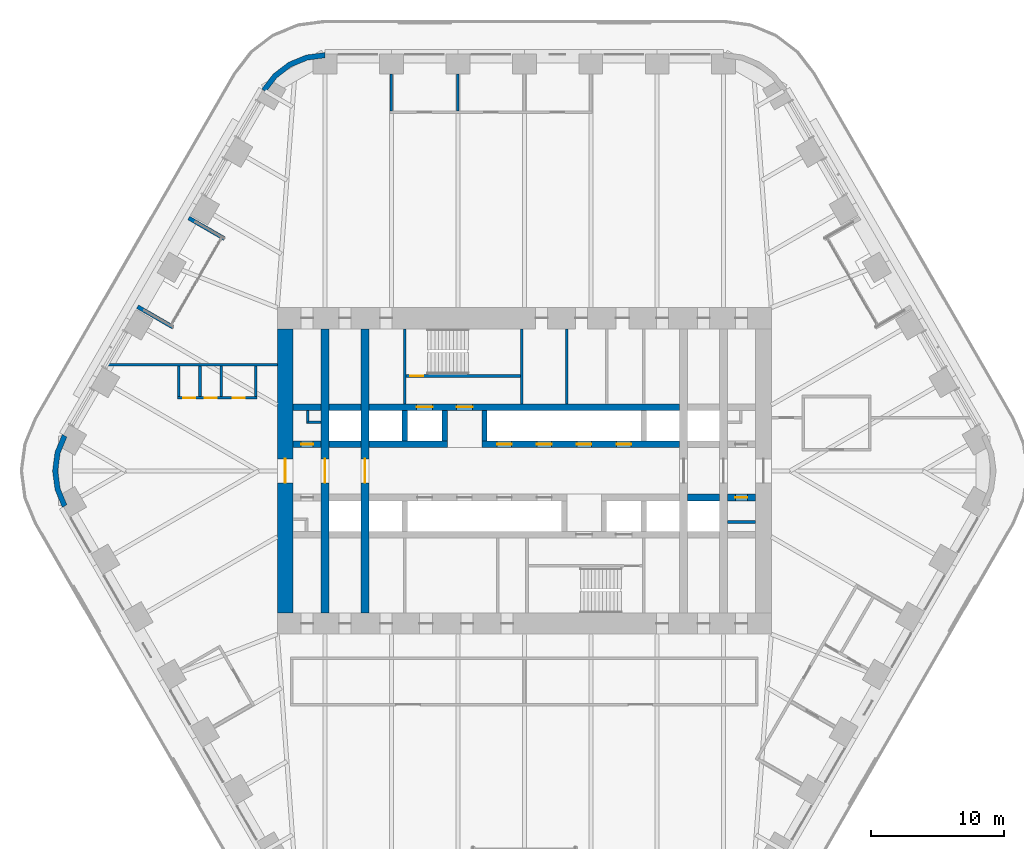
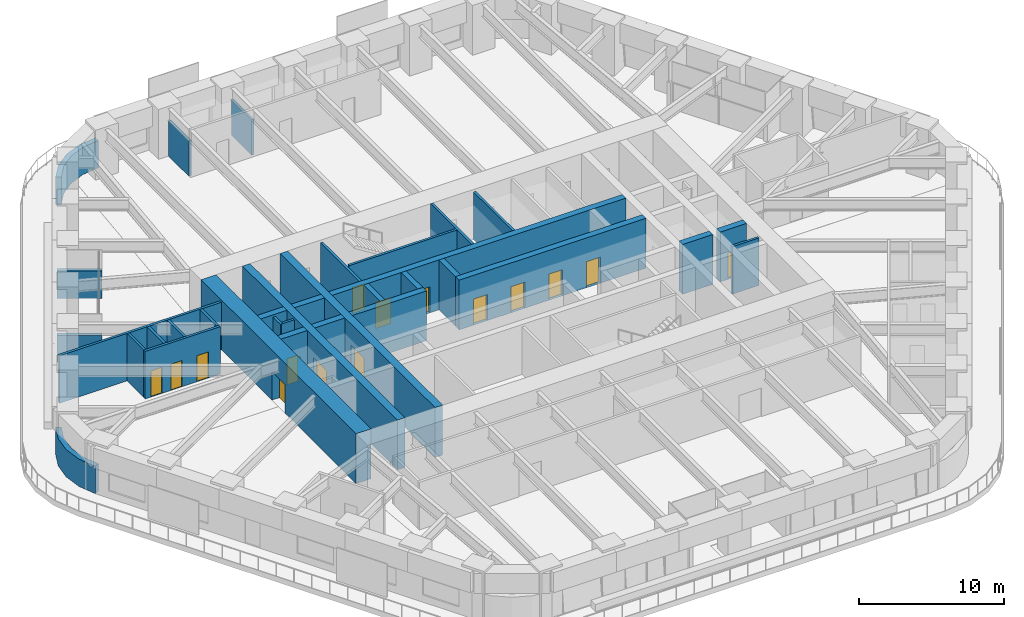
# One storey, part 19 of 24: 34 walls, 15 doors, 15 openings.
"""IFC4 building model written with IfcOpenShell, lengths in metres."""

from ifc_helpers import new_model, si_unit, direction, frame, frame_2d, origin, place, context, subcontext, project, spatial, polyline, rectangle, outline, extrude, material, layer, layer_set, type_object, element, fill, save


model = new_model("IFC4")

# Units and contexts
model_context = context("Model", 3, precision=1e-05, world=origin(), true_north=direction((0.0, 1.0)))
body_context = subcontext(model_context, "Body", "Model", "MODEL_VIEW")
ifc_project = project(units=[si_unit("LENGTHUNIT", "METRE"), si_unit("AREAUNIT", "SQUARE_METRE"), si_unit("VOLUMEUNIT", "CUBIC_METRE"), si_unit("PLANEANGLEUNIT", "RADIAN"), si_unit("MASSUNIT", "GRAM", prefix="KILO")], contexts=[model_context])

# Site, building, storey
site_placement = place(None, origin())
site = spatial("IfcSite", under=ifc_project, at=site_placement, CompositionType="ELEMENT")
building_placement = place(site_placement, origin())
building = spatial("IfcBuilding", under=site, at=building_placement, Name="Tarfa Lantern Tower", CompositionType="ELEMENT")
storey_placement = place(building_placement, frame((0.0, 0.0, 132.10009765625)))
storey = spatial("IfcBuildingStorey", under=building, at=storey_placement, Name="L29", CompositionType="ELEMENT", Elevation=132.10009765625)

# Walls
ifc_material_1 = material(Name="Limestone cladding on blockwork", Category="masonry")
ifc_layer_1 = layer(ifc_material_1, 0.300048828125)
ifc_layer_set_1 = layer_set([ifc_layer_1], Name="EW1 STONE-CLAD WALL 300")
wall_type_1 = type_object("IfcWallType", Name="EW1 STONE-CLAD WALL 300", PredefinedType="SOLIDWALL", material=ifc_layer_set_1)
wall_1_placement = place(storey_placement, frame((-25.266357421875, 19.037353515625, 0.0), z_axis=(0.0, 0.0, 1.0), x_axis=(0.86600983753, -0.500026960575, 0.0)))
element("IfcWall", 1, at=wall_1_placement, inside=storey, type_object=wall_type_1, Name="Loggia return NW 1", PredefinedType="SOLIDWALL", context=body_context, shape_type="SweptSolid", body=[
    extrude(rectangle(XDim=3.099853515625, YDim=0.300048828125, at=frame_2d((1.5498046875, 0.0))), origin(), (0.0, 0.0, 1.0), 2.2998046875),
])
wall_2_placement = place(storey_placement, frame((-29.1201171875, 12.362548828125, 0.0), z_axis=(0.0, 0.0, 1.0), x_axis=(0.86602952684, -0.49999285859, 0.0)))
element("IfcWall", 2, at=wall_2_placement, inside=storey, type_object=wall_type_1, Name="Loggia return NW 2", PredefinedType="SOLIDWALL", context=body_context, shape_type="SweptSolid", body=[
    extrude(rectangle(XDim=3.10009765625, YDim=0.300048828125, at=frame_2d((1.550048828125, 0.0))), origin(), (0.0, 0.0, 1.0), 2.2998046875),
])
ifc_layer_2 = layer(ifc_material_1, 0.39990234375)
ifc_layer_set_2 = layer_set([ifc_layer_2], Name="EW2 CURVED STONE CORNER 400")
wall_type_2 = type_object("IfcWallType", Name="EW2 CURVED STONE CORNER 400", PredefinedType="SOLIDWALL", material=ifc_layer_set_2)
wall_3_placement = place(storey_placement, origin())
element("IfcWall", 3, at=wall_3_placement, inside=storey, type_object=wall_type_2, Name="Stone corner N-NW", PredefinedType="SOLIDWALL", context=body_context, shape_type="SweptSolid", body=[
    extrude(outline(polyline([(-15.010986328125, 31.5), (-16.4345703125, 31.3125), (-17.760986328125, 30.76318359375), (-18.900146484375, 29.88916015625), (-19.774169921875, 28.75), (-19.427734375, 28.550048828125), (-18.617431640625, 29.606201171875), (-17.56103515625, 30.416748046875), (-16.3310546875, 30.92626953125), (-15.010986328125, 31.10009765625), (-15.010986328125, 31.5)])), origin(), (0.0, 0.0, 1.0), 2.2998046875),
])
wall_4_placement = place(storey_placement, origin())
element("IfcWall", 4, at=wall_4_placement, inside=storey, type_object=wall_type_2, Name="Stone corner NW-SW", PredefinedType="SOLIDWALL", context=body_context, shape_type="SweptSolid", body=[
    extrude(outline(polyline([(-34.785400390625, 2.75), (-35.334716796875, 1.423583984375), (-35.522216796875, 0.0), (-35.334716796875, -1.423583984375), (-34.785400390625, -2.75), (-34.43896484375, -2.550048828125), (-34.948486328125, -1.320068359375), (-35.122314453125, 0.0), (-34.948486328125, 1.320068359375), (-34.43896484375, 2.550048828125), (-34.785400390625, 2.75)])), origin(), (0.0, 0.0, 1.0), 2.2998046875),
])
ifc_material_2 = material(Name="Concrete blockwork", Category="masonry")
ifc_layer_3 = layer(ifc_material_2, 0.199951171875)
ifc_layer_set_3 = layer_set([ifc_layer_3], Name="IW1 BLOCKWORK PARTITION 200 EI 120")
wall_type_3 = type_object("IfcWallType", Name="IW1 BLOCKWORK PARTITION 200 EI 120", PredefinedType="PARTITIONING", material=ifc_layer_set_3)
for number, where, z_axis, x_axis, name in (
    (5, (-9.0, 5.050048828125, 0.0), (0.0, 0.0, 1.0), (0.0, 1.0, 0.0), "Core partition"),
    (6, (3.199951171875, 5.050048828125, 0.0), (0.0, 0.0, 1.0), (0.0, 1.0, 0.0), "Core partition"),
):
    element("IfcWall", number, at=place(storey_placement, frame(where, z_axis=z_axis, x_axis=x_axis)), inside=storey, type_object=wall_type_3, Name=name, PredefinedType="PARTITIONING", context=body_context, shape_type="SweptSolid", body=[
        extrude(rectangle(XDim=5.64990234375, YDim=0.199951171875, at=frame_2d((2.824951171875, 0.0))), origin(), (0.0, 0.0, 1.0), 4.0),
    ])
for number, where, z_axis, x_axis, name in (
    (7, (-16.300048828125, 3.64990234375, 0.0), (0.0, 0.0, 1.0), (1.0, 0.0, 0.0), "Core partition"),
    (8, (-16.300048828125, 3.550048828125, 0.0), (0.0, 0.0, 1.0), (0.0, 1.0, 0.0), "Core partition"),
):
    element("IfcWall", number, at=place(storey_placement, frame(where, z_axis=z_axis, x_axis=x_axis)), inside=storey, type_object=wall_type_3, Name=name, PredefinedType="PARTITIONING", context=body_context, shape_type="SweptSolid", body=[
        extrude(rectangle(XDim=1.0, YDim=0.199951171875, at=frame_2d((0.5, 0.0))), origin(), (0.0, 0.0, 1.0), 4.0),
    ])
wall_5_placement = place(storey_placement, frame((17.39990234375, -3.85009765625, 0.0), z_axis=(0.0, 0.0, 1.0), x_axis=(-1.0, 0.0, 0.0)))
element("IfcWall", 9, at=wall_5_placement, inside=storey, type_object=wall_type_3, Name="Core partition", PredefinedType="PARTITIONING", context=body_context, shape_type="SweptSolid", body=[
    extrude(rectangle(XDim=2.099853515625, YDim=0.199951171875, at=frame_2d((1.0498046875, 0.0))), origin(), (0.0, 0.0, 1.0), 4.0),
])
ifc_material_3 = material(Name="Gypsum board on steel studs", Category="steel")
ifc_layer_4 = layer(ifc_material_3, 0.2099609375)
ifc_layer_set_4 = layer_set([ifc_layer_4], Name="IW2 ACOUSTIC PARTITION 200")
wall_type_4 = type_object("IfcWallType", Name="IW2 ACOUSTIC PARTITION 200", PredefinedType="PARTITIONING", material=ifc_layer_set_4)
for number, where, z_axis, x_axis, name in (
    (10, (-5.003662109375, 27.10009765625, 0.0), (0.0, 0.0, 1.0), (0.0, 1.0, 0.0), "Partition"),
    (11, (-10.00732421875, 27.10009765625, 0.0), (0.0, 0.0, 1.0), (0.0, 1.0, 0.0), "Partition"),
):
    element("IfcWall", number, at=place(storey_placement, frame(where, z_axis=z_axis, x_axis=x_axis)), inside=storey, type_object=wall_type_4, Name=name, PredefinedType="PARTITIONING", context=body_context, shape_type="SweptSolid", body=[
        extrude(rectangle(XDim=2.7998046875, YDim=0.199951171875, at=frame_2d((1.39990234375, 0.0))), origin(), (0.0, 0.0, 1.0), 2.99169921875),
    ])
wall_6_placement = place(storey_placement, frame((-18.60009765625, 8.0, 0.0), z_axis=(0.0, 0.0, 1.0), x_axis=(-1.0, 0.0, 0.0)))
element("IfcWall", 12, at=wall_6_placement, inside=storey, type_object=wall_type_4, Name="Partition", PredefinedType="PARTITIONING", context=body_context, shape_type="SweptSolid", body=[
    extrude(rectangle(XDim=12.89990234375, YDim=0.199951171875, at=frame_2d((6.449951171875, 0.0))), origin(), (0.0, 0.0, 1.0), 4.0),
])

# Wall, openings, doors
wall_7_placement = place(storey_placement, frame((-20.114990234375, 5.5, 0.0), z_axis=(0.0, 0.0, 1.0), x_axis=(-1.0, 0.0, 0.0)))
wall_7 = element("IfcWall", 13, at=wall_7_placement, inside=storey, type_object=wall_type_4, Name="Partition", PredefinedType="PARTITIONING", context=body_context, shape_type="SweptSolid", body=[
    extrude(rectangle(XDim=6.0, YDim=0.199951171875, at=frame_2d((3.0, 0.0))), origin(), (0.0, 0.0, 1.0), 4.0),
])
opening_1_placement = place(wall_7_placement, frame((0.949951171875, 0.0, 0.0)))
opening_1 = element("IfcOpeningElement", 14, at=opening_1_placement, cuts=wall_7, Name="Opening D44", PredefinedType="OPENING", context=body_context, shape_type="SweptSolid", body=[
    extrude(rectangle(XDim=0.89990234375, YDim=2.199951171875, at=frame_2d((0.449951171875, 1.10009765625))), frame((0.0, 0.10986328125, 0.0), z_axis=(0.0, -1.0, 0.0), x_axis=(1.0, 0.0, 0.0)), (0.0, 0.0, 1.0), 0.219970703125),
])
opening_2_placement = place(wall_7_placement, frame((3.050048828125, 0.0, 0.0)))
opening_2 = element("IfcOpeningElement", 15, at=opening_2_placement, cuts=wall_7, Name="Opening D45", PredefinedType="OPENING", context=body_context, shape_type="SweptSolid", body=[
    extrude(rectangle(XDim=0.89990234375, YDim=2.199951171875, at=frame_2d((0.449951171875, 1.10009765625))), frame((0.0, 0.10986328125, 0.0), z_axis=(0.0, -1.0, 0.0), x_axis=(1.0, 0.0, 0.0)), (0.0, 0.0, 1.0), 0.219970703125),
])
opening_3_placement = place(wall_7_placement, frame((4.64990234375, 0.0, 0.0)))
opening_3 = element("IfcOpeningElement", 16, at=opening_3_placement, cuts=wall_7, Name="Opening D46", PredefinedType="OPENING", context=body_context, shape_type="SweptSolid", body=[
    extrude(rectangle(XDim=0.89990234375, YDim=2.199951171875, at=frame_2d((0.449951171875, 1.10009765625))), frame((0.0, 0.10986328125, 0.0), z_axis=(0.0, -1.0, 0.0), x_axis=(1.0, 0.0, 0.0)), (0.0, 0.0, 1.0), 0.219970703125),
])
ifc_material_4 = material(Name="Timber door", Category="wood")
door_type_1 = type_object("IfcDoorType", Name="DR3 ROOM DOOR 900x2200", OperationType="SINGLE_SWING_LEFT", PredefinedType="DOOR", material=ifc_material_4)
door_1_placement = place(opening_1_placement, frame((0.89990234375, 0.0, 0.0), z_axis=(0.0, 0.0, 1.0), x_axis=(-1.0, 0.0, 0.0)))
door_1 = element("IfcDoor", 17, at=door_1_placement, inside=storey, type_object=door_type_1, Name="Print and copy room door", OperationType="SINGLE_SWING_LEFT", OverallHeight=2.199951171875, OverallWidth=0.89990234375, PredefinedType="DOOR", context=body_context, shape_type="SweptSolid", body=[
    extrude(rectangle(XDim=0.89990234375, YDim=2.199951171875, at=frame_2d((0.449951171875, 1.10009765625))), frame((0.0, 0.02490234375, 0.0), z_axis=(0.0, -1.0, 0.0), x_axis=(1.0, 0.0, 0.0)), (0.0, 0.0, 1.0), 0.050048828125),
])
fill(opening_1, door_1)
door_2_placement = place(opening_2_placement, frame((0.89990234375, 0.0, 0.0), z_axis=(0.0, 0.0, 1.0), x_axis=(-1.0, 0.0, 0.0)))
door_2 = element("IfcDoor", 18, at=door_2_placement, inside=storey, type_object=door_type_1, Name="Phone booth door", OperationType="SINGLE_SWING_RIGHT", OverallHeight=2.199951171875, OverallWidth=0.89990234375, PredefinedType="DOOR", context=body_context, shape_type="SweptSolid", body=[
    extrude(rectangle(XDim=0.89990234375, YDim=2.199951171875, at=frame_2d((0.449951171875, 1.10009765625))), frame((0.0, 0.02490234375, 0.0), z_axis=(0.0, -1.0, 0.0), x_axis=(1.0, 0.0, 0.0)), (0.0, 0.0, 1.0), 0.050048828125),
])
fill(opening_2, door_2)
door_3_placement = place(opening_3_placement, frame((0.89990234375, 0.0, 0.0), z_axis=(0.0, 0.0, 1.0), x_axis=(-1.0, 0.0, 0.0)))
door_3 = element("IfcDoor", 19, at=door_3_placement, inside=storey, type_object=door_type_1, Name="Phone booth door", OperationType="SINGLE_SWING_RIGHT", OverallHeight=2.199951171875, OverallWidth=0.89990234375, PredefinedType="DOOR", context=body_context, shape_type="SweptSolid", body=[
    extrude(rectangle(XDim=0.89990234375, YDim=2.199951171875, at=frame_2d((0.449951171875, 1.10009765625))), frame((0.0, 0.02490234375, 0.0), z_axis=(0.0, -1.0, 0.0), x_axis=(1.0, 0.0, 0.0)), (0.0, 0.0, 1.0), 0.050048828125),
])
fill(opening_3, door_3)

# Walls
for number, where, z_axis, x_axis, name in (
    (20, (-20.215087890625, 7.89990234375, 0.0), (0.0, 0.0, 1.0), (0.0, -1.0, 0.0), "Partition"),
    (21, (-22.81494140625, 7.89990234375, 0.0), (0.0, 0.0, 1.0), (0.0, -1.0, 0.0), "Partition"),
    (22, (-24.4150390625, 7.89990234375, 0.0), (0.0, 0.0, 1.0), (0.0, -1.0, 0.0), "Partition"),
    (23, (-26.01513671875, 7.89990234375, 0.0), (0.0, 0.0, 1.0), (0.0, -1.0, 0.0), "Partition"),
):
    element("IfcWall", number, at=place(storey_placement, frame(where, z_axis=z_axis, x_axis=x_axis)), inside=storey, type_object=wall_type_4, Name=name, PredefinedType="PARTITIONING", context=body_context, shape_type="SweptSolid", body=[
        extrude(rectangle(XDim=2.2998046875, YDim=0.199951171875, at=frame_2d((1.14990234375, 0.0))), origin(), (0.0, 0.0, 1.0), 4.0),
    ])

# Wall, opening, door
ifc_material_5 = material(Name="Concrete C80/95", Category="concrete")
ifc_layer_5 = layer(ifc_material_5, 1.199951171875)
ifc_layer_set_5 = layer_set([ifc_layer_5], Name="SW1 CORE WALL 1200")
wall_type_5 = type_object("IfcWallType", Name="SW1 CORE WALL 1200", PredefinedType="SHEAR", material=ifc_layer_set_5)
wall_8_placement = place(storey_placement, frame((-18.0, 10.699951171875, 0.0), z_axis=(0.0, 0.0, 1.0), x_axis=(0.0, -1.0, 0.0)))
wall_8 = element("IfcWall", 24, at=wall_8_placement, inside=storey, type_object=wall_type_5, Name="Core wall W", PredefinedType="SHEAR", context=body_context, shape_type="SweptSolid", body=[
    extrude(rectangle(XDim=21.39990234375, YDim=1.199951171875, at=frame_2d((10.699951171875, 0.0))), origin(), (0.0, 0.0, 1.0), 4.199951171875),
])
opening_4_placement = place(wall_8_placement, frame((9.800048828125, 0.0, 0.0)))
opening_4 = element("IfcOpeningElement", 25, at=opening_4_placement, cuts=wall_8, Name="Opening D16", PredefinedType="OPENING", context=body_context, shape_type="SweptSolid", body=[
    extrude(rectangle(XDim=1.800048828125, YDim=2.39990234375, at=frame_2d((0.89990234375, 1.199951171875))), frame((0.0, 0.60986328125, 0.0), z_axis=(0.0, -1.0, 0.0), x_axis=(1.0, 0.0, 0.0)), (0.0, 0.0, 1.0), 1.219970703125),
])
ifc_material_6 = material(Name="Steel fire door", Category="steel")
door_type_2 = type_object("IfcDoorType", Name="DL1 LOBBY DOOR 1800x2400", OperationType="DOUBLE_DOOR_SINGLE_SWING", PredefinedType="DOOR", material=ifc_material_6)
door_4_placement = place(opening_4_placement, frame((1.800048828125, 0.0, 0.0), z_axis=(0.0, 0.0, 1.0), x_axis=(-1.0, 0.0, 0.0)))
door_4 = element("IfcDoor", 26, at=door_4_placement, inside=storey, type_object=door_type_2, Name="Lift lobby door", OperationType="DOUBLE_DOOR_SINGLE_SWING", OverallHeight=2.39990234375, OverallWidth=1.800048828125, PredefinedType="DOOR", context=body_context, shape_type="SweptSolid", body=[
    extrude(rectangle(XDim=1.800048828125, YDim=2.39990234375, at=frame_2d((0.89990234375, 1.199951171875))), frame((0.0, 0.02490234375, 0.0), z_axis=(0.0, -1.0, 0.0), x_axis=(1.0, 0.0, 0.0)), (0.0, 0.0, 1.0), 0.050048828125),
])
fill(opening_4, door_4)

# Wall
ifc_layer_6 = layer(ifc_material_5, 0.199951171875)
ifc_layer_set_6 = layer_set([ifc_layer_6], Name="SW12 CORE WALL 200")
wall_type_6 = type_object("IfcWallType", Name="SW12 CORE WALL 200", PredefinedType="SHEAR", material=ifc_layer_set_6)
wall_9_placement = place(storey_placement, frame((-0.199951171875, 5.050048828125, 0.0), z_axis=(0.0, 0.0, 1.0), x_axis=(0.0, 1.0, 0.0)))
element("IfcWall", 27, at=wall_9_placement, inside=storey, type_object=wall_type_6, Name="Core wall stair shaft N", PredefinedType="SHEAR", context=body_context, shape_type="SweptSolid", body=[
    extrude(rectangle(XDim=5.64990234375, YDim=0.199951171875, at=frame_2d((2.824951171875, 0.0))), origin(), (0.0, 0.0, 1.0), 4.199951171875),
])

# Wall, opening, door
wall_10_placement = place(storey_placement, frame((-8.89990234375, 7.14990234375, 0.0), z_axis=(0.0, 0.0, 1.0), x_axis=(1.0, 0.0, 0.0)))
wall_10 = element("IfcWall", 28, at=wall_10_placement, inside=storey, type_object=wall_type_6, Name="Core wall stair partition N", PredefinedType="SHEAR", context=body_context, shape_type="SweptSolid", body=[
    extrude(rectangle(XDim=8.599853515625, YDim=0.199951171875, at=frame_2d((4.2998046875, 0.0))), origin(), (0.0, 0.0, 1.0), 4.199951171875),
])
opening_5_placement = place(wall_10_placement, frame((0.300048828125, 0.0, 0.0)))
opening_5 = element("IfcOpeningElement", 29, at=opening_5_placement, cuts=wall_10, Name="Opening D27", PredefinedType="OPENING", context=body_context, shape_type="SweptSolid", body=[
    extrude(rectangle(XDim=1.0, YDim=2.199951171875, at=frame_2d((0.5, 1.10009765625))), frame((0.0, 0.10986328125, 0.0), z_axis=(0.0, -1.0, 0.0), x_axis=(1.0, 0.0, 0.0)), (0.0, 0.0, 1.0), 0.219970703125),
])
door_type_3 = type_object("IfcDoorType", Name="DF2 STAIR DOOR 1000x2200", OperationType="SINGLE_SWING_LEFT", PredefinedType="DOOR", material=ifc_material_6)
door_5_placement = place(opening_5_placement, origin())
door_5 = element("IfcDoor", 30, at=door_5_placement, inside=storey, type_object=door_type_3, Name="Stair door", OperationType="SINGLE_SWING_RIGHT", OverallHeight=2.199951171875, OverallWidth=1.0, PredefinedType="DOOR", context=body_context, shape_type="SweptSolid", body=[
    extrude(rectangle(XDim=1.0, YDim=2.199951171875, at=frame_2d((0.5, 1.10009765625))), frame((0.0, 0.02490234375, 0.0), z_axis=(0.0, -1.0, 0.0), x_axis=(1.0, 0.0, 0.0)), (0.0, 0.0, 1.0), 0.050048828125),
])
fill(opening_5, door_5)

ifc_layer_7 = layer(ifc_material_5, 0.5)
ifc_layer_set_7 = layer_set([ifc_layer_7], Name="SW5 CORE WALL 500")
wall_type_7 = type_object("IfcWallType", Name="SW5 CORE WALL 500", PredefinedType="SHEAR", material=ifc_layer_set_7)
wall_11_placement = place(storey_placement, frame((-17.39990234375, 2.0, 0.0), z_axis=(0.0, 0.0, 1.0), x_axis=(1.0, 0.0, 0.0)))
wall_11 = element("IfcWall", 31, at=wall_11_placement, inside=storey, type_object=wall_type_7, Name="Core wall lobby west N", PredefinedType="SHEAR", context=body_context, shape_type="SweptSolid", body=[
    extrude(rectangle(XDim=2.099853515625, YDim=0.5, at=frame_2d((1.0498046875, 0.0))), origin(), (0.0, 0.0, 1.0), 4.199951171875),
])
opening_6_placement = place(wall_11_placement, frame((0.60009765625, 0.0, 0.0)))
opening_6 = element("IfcOpeningElement", 32, at=opening_6_placement, cuts=wall_11, Name="Opening D19", PredefinedType="OPENING", context=body_context, shape_type="SweptSolid", body=[
    extrude(rectangle(XDim=0.89990234375, YDim=2.199951171875, at=frame_2d((0.449951171875, 1.10009765625))), frame((0.0, 0.260009765625, 0.0), z_axis=(0.0, -1.0, 0.0), x_axis=(1.0, 0.0, 0.0)), (0.0, 0.0, 1.0), 0.52001953125),
])
door_type_4 = type_object("IfcDoorType", Name="DF6 SERVICE ROOM DOOR 900x2200", OperationType="SINGLE_SWING_LEFT", PredefinedType="DOOR", material=ifc_material_6)
door_6_placement = place(opening_6_placement, origin())
door_6 = element("IfcDoor", 33, at=door_6_placement, inside=storey, type_object=door_type_4, Name="Service room door", OperationType="SINGLE_SWING_LEFT", OverallHeight=2.199951171875, OverallWidth=0.89990234375, PredefinedType="DOOR", context=body_context, shape_type="SweptSolid", body=[
    extrude(rectangle(XDim=0.89990234375, YDim=2.199951171875, at=frame_2d((0.449951171875, 1.10009765625))), frame((0.0, 0.02490234375, 0.0), z_axis=(0.0, -1.0, 0.0), x_axis=(1.0, 0.0, 0.0)), (0.0, 0.0, 1.0), 0.050048828125),
])
fill(opening_6, door_6)

# Walls
wall_12_placement = place(storey_placement, frame((-14.699951171875, 2.0, 0.0), z_axis=(0.0, 0.0, 1.0), x_axis=(1.0, 0.0, 0.0)))
element("IfcWall", 34, at=wall_12_placement, inside=storey, type_object=wall_type_7, Name="Core wall lobby west N", PredefinedType="SHEAR", context=body_context, shape_type="SweptSolid", body=[
    extrude(rectangle(XDim=2.39990234375, YDim=0.5, at=frame_2d((1.199951171875, 0.0))), origin(), (0.0, 0.0, 1.0), 4.199951171875),
])
wall_13_placement = place(storey_placement, frame((-11.699951171875, 2.0, 0.0), z_axis=(0.0, 0.0, 1.0), x_axis=(1.0, 0.0, 0.0)))
element("IfcWall", 35, at=wall_13_placement, inside=storey, type_object=wall_type_7, Name="Core wall lobby west N", PredefinedType="SHEAR", context=body_context, shape_type="SweptSolid", body=[
    extrude(rectangle(XDim=5.89990234375, YDim=0.5, at=frame_2d((2.949951171875, 0.0))), origin(), (0.0, 0.0, 1.0), 4.199951171875),
])

# Wall, openings, doors
wall_14_placement = place(storey_placement, frame((-3.199951171875, 2.0, 0.0), z_axis=(0.0, 0.0, 1.0), x_axis=(1.0, 0.0, 0.0)))
wall_14 = element("IfcWall", 36, at=wall_14_placement, inside=storey, type_object=wall_type_7, Name="Core wall lobby east N", PredefinedType="SHEAR", context=body_context, shape_type="SweptSolid", body=[
    extrude(rectangle(XDim=14.89990234375, YDim=0.5, at=frame_2d((7.449951171875, 0.0))), origin(), (0.0, 0.0, 1.0), 4.199951171875),
])
opening_7_placement = place(wall_14_placement, frame((1.14990234375, 0.0, 0.0)))
opening_7 = element("IfcOpeningElement", 37, at=opening_7_placement, cuts=wall_14, Name="Opening LD03", PredefinedType="OPENING", context=body_context, shape_type="SweptSolid", body=[
    extrude(rectangle(XDim=1.10009765625, YDim=2.199951171875, at=frame_2d((0.550048828125, 1.10009765625))), frame((0.0, 0.260009765625, 0.0), z_axis=(0.0, -1.0, 0.0), x_axis=(1.0, 0.0, 0.0)), (0.0, 0.0, 1.0), 0.52001953125),
])
opening_8_placement = place(wall_14_placement, frame((4.14990234375, 0.0, 0.0)))
opening_8 = element("IfcOpeningElement", 38, at=opening_8_placement, cuts=wall_14, Name="Opening LD04", PredefinedType="OPENING", context=body_context, shape_type="SweptSolid", body=[
    extrude(rectangle(XDim=1.10009765625, YDim=2.199951171875, at=frame_2d((0.550048828125, 1.10009765625))), frame((0.0, 0.260009765625, 0.0), z_axis=(0.0, -1.0, 0.0), x_axis=(1.0, 0.0, 0.0)), (0.0, 0.0, 1.0), 0.52001953125),
])
opening_9_placement = place(wall_14_placement, frame((7.14990234375, 0.0, 0.0)))
opening_9 = element("IfcOpeningElement", 39, at=opening_9_placement, cuts=wall_14, Name="Opening LD05", PredefinedType="OPENING", context=body_context, shape_type="SweptSolid", body=[
    extrude(rectangle(XDim=1.10009765625, YDim=2.199951171875, at=frame_2d((0.550048828125, 1.10009765625))), frame((0.0, 0.260009765625, 0.0), z_axis=(0.0, -1.0, 0.0), x_axis=(1.0, 0.0, 0.0)), (0.0, 0.0, 1.0), 0.52001953125),
])
opening_10_placement = place(wall_14_placement, frame((10.14990234375, 0.0, 0.0)))
opening_10 = element("IfcOpeningElement", 40, at=opening_10_placement, cuts=wall_14, Name="Opening LD06", PredefinedType="OPENING", context=body_context, shape_type="SweptSolid", body=[
    extrude(rectangle(XDim=1.10009765625, YDim=2.199951171875, at=frame_2d((0.550048828125, 1.10009765625))), frame((0.0, 0.260009765625, 0.0), z_axis=(0.0, -1.0, 0.0), x_axis=(1.0, 0.0, 0.0)), (0.0, 0.0, 1.0), 0.52001953125),
])
ifc_material_7 = material(Name="Stainless steel lift door", Category="steel")
door_type_5 = type_object("IfcDoorType", Name="LD2 LIFT LANDING DOOR 1100x2200", OperationType="SLIDING_TO_LEFT", PredefinedType="DOOR", material=ifc_material_7)
door_7_placement = place(opening_7_placement, frame((1.10009765625, 0.0, 0.0), z_axis=(0.0, 0.0, 1.0), x_axis=(-1.0, 0.0, 0.0)))
door_7 = element("IfcDoor", 41, at=door_7_placement, inside=storey, type_object=door_type_5, Name="Landing door PB1", OperationType="SLIDING_TO_LEFT", OverallHeight=2.199951171875, OverallWidth=1.10009765625, PredefinedType="DOOR", context=body_context, shape_type="SweptSolid", body=[
    extrude(rectangle(XDim=1.10009765625, YDim=2.199951171875, at=frame_2d((0.550048828125, 1.10009765625))), frame((0.0, 0.02490234375, 0.0), z_axis=(0.0, -1.0, 0.0), x_axis=(1.0, 0.0, 0.0)), (0.0, 0.0, 1.0), 0.050048828125),
])
fill(opening_7, door_7)
door_8_placement = place(opening_8_placement, frame((1.10009765625, 0.0, 0.0), z_axis=(0.0, 0.0, 1.0), x_axis=(-1.0, 0.0, 0.0)))
door_8 = element("IfcDoor", 42, at=door_8_placement, inside=storey, type_object=door_type_5, Name="Landing door PB2", OperationType="SLIDING_TO_LEFT", OverallHeight=2.199951171875, OverallWidth=1.10009765625, PredefinedType="DOOR", context=body_context, shape_type="SweptSolid", body=[
    extrude(rectangle(XDim=1.10009765625, YDim=2.199951171875, at=frame_2d((0.550048828125, 1.10009765625))), frame((0.0, 0.02490234375, 0.0), z_axis=(0.0, -1.0, 0.0), x_axis=(1.0, 0.0, 0.0)), (0.0, 0.0, 1.0), 0.050048828125),
])
fill(opening_8, door_8)
door_9_placement = place(opening_9_placement, frame((1.10009765625, 0.0, 0.0), z_axis=(0.0, 0.0, 1.0), x_axis=(-1.0, 0.0, 0.0)))
door_9 = element("IfcDoor", 43, at=door_9_placement, inside=storey, type_object=door_type_5, Name="Landing door PB3", OperationType="SLIDING_TO_LEFT", OverallHeight=2.199951171875, OverallWidth=1.10009765625, PredefinedType="DOOR", context=body_context, shape_type="SweptSolid", body=[
    extrude(rectangle(XDim=1.10009765625, YDim=2.199951171875, at=frame_2d((0.550048828125, 1.10009765625))), frame((0.0, 0.02490234375, 0.0), z_axis=(0.0, -1.0, 0.0), x_axis=(1.0, 0.0, 0.0)), (0.0, 0.0, 1.0), 0.050048828125),
])
fill(opening_9, door_9)
door_10_placement = place(opening_10_placement, frame((1.10009765625, 0.0, 0.0), z_axis=(0.0, 0.0, 1.0), x_axis=(-1.0, 0.0, 0.0)))
door_10 = element("IfcDoor", 44, at=door_10_placement, inside=storey, type_object=door_type_5, Name="Landing door PB4", OperationType="SLIDING_TO_LEFT", OverallHeight=2.199951171875, OverallWidth=1.10009765625, PredefinedType="DOOR", context=body_context, shape_type="SweptSolid", body=[
    extrude(rectangle(XDim=1.10009765625, YDim=2.199951171875, at=frame_2d((0.550048828125, 1.10009765625))), frame((0.0, 0.02490234375, 0.0), z_axis=(0.0, -1.0, 0.0), x_axis=(1.0, 0.0, 0.0)), (0.0, 0.0, 1.0), 0.050048828125),
])
fill(opening_10, door_10)

# Walls
wall_15_placement = place(storey_placement, frame((-17.39990234375, 4.800048828125, 0.0), z_axis=(0.0, 0.0, 1.0), x_axis=(1.0, 0.0, 0.0)))
element("IfcWall", 45, at=wall_15_placement, inside=storey, type_object=wall_type_7, Name="Core wall rear N", PredefinedType="SHEAR", context=body_context, shape_type="SweptSolid", body=[
    extrude(rectangle(XDim=2.099853515625, YDim=0.5, at=frame_2d((1.0498046875, 0.0))), origin(), (0.0, 0.0, 1.0), 4.199951171875),
])
wall_16_placement = place(storey_placement, frame((-14.699951171875, 4.800048828125, 0.0), z_axis=(0.0, 0.0, 1.0), x_axis=(1.0, 0.0, 0.0)))
element("IfcWall", 46, at=wall_16_placement, inside=storey, type_object=wall_type_7, Name="Core wall rear N", PredefinedType="SHEAR", context=body_context, shape_type="SweptSolid", body=[
    extrude(rectangle(XDim=2.39990234375, YDim=0.5, at=frame_2d((1.199951171875, 0.0))), origin(), (0.0, 0.0, 1.0), 4.199951171875),
])

# Wall, openings, doors
wall_17_placement = place(storey_placement, frame((-11.699951171875, 4.800048828125, 0.0), z_axis=(0.0, 0.0, 1.0), x_axis=(1.0, 0.0, 0.0)))
wall_17 = element("IfcWall", 47, at=wall_17_placement, inside=storey, type_object=wall_type_7, Name="Core wall rear N", PredefinedType="SHEAR", context=body_context, shape_type="SweptSolid", body=[
    extrude(rectangle(XDim=23.39990234375, YDim=0.5, at=frame_2d((11.699951171875, 0.0))), origin(), (0.0, 0.0, 1.0), 4.199951171875),
])
opening_11_placement = place(wall_17_placement, frame((6.60009765625, 0.0, 0.0)))
opening_11 = element("IfcOpeningElement", 48, at=opening_11_placement, cuts=wall_17, Name="Opening D13", PredefinedType="OPENING", context=body_context, shape_type="SweptSolid", body=[
    extrude(rectangle(XDim=1.199951171875, YDim=2.199951171875, at=frame_2d((0.60009765625, 1.10009765625))), frame((0.0, 0.260009765625, 0.0), z_axis=(0.0, -1.0, 0.0), x_axis=(1.0, 0.0, 0.0)), (0.0, 0.0, 1.0), 0.52001953125),
])
opening_12_placement = place(wall_17_placement, frame((3.60009765625, 0.0, 0.0)))
opening_12 = element("IfcOpeningElement", 49, at=opening_12_placement, cuts=wall_17, Name="Opening LD01", PredefinedType="OPENING", context=body_context, shape_type="SweptSolid", body=[
    extrude(rectangle(XDim=1.199951171875, YDim=2.199951171875, at=frame_2d((0.60009765625, 1.10009765625))), frame((0.0, 0.260009765625, 0.0), z_axis=(0.0, -1.0, 0.0), x_axis=(1.0, 0.0, 0.0)), (0.0, 0.0, 1.0), 0.52001953125),
])
door_type_6 = type_object("IfcDoorType", Name="DF1 FIREFIGHTING LOBBY DOOR 1200x2200", OperationType="SINGLE_SWING_LEFT", PredefinedType="DOOR", material=ifc_material_6)
door_11_placement = place(opening_11_placement, origin())
door_11 = element("IfcDoor", 50, at=door_11_placement, inside=storey, type_object=door_type_6, Name="Firefighting lobby door", OperationType="SINGLE_SWING_LEFT", OverallHeight=2.199951171875, OverallWidth=1.199951171875, PredefinedType="DOOR", context=body_context, shape_type="SweptSolid", body=[
    extrude(rectangle(XDim=1.199951171875, YDim=2.199951171875, at=frame_2d((0.60009765625, 1.10009765625))), frame((0.0, 0.02490234375, 0.0), z_axis=(0.0, -1.0, 0.0), x_axis=(1.0, 0.0, 0.0)), (0.0, 0.0, 1.0), 0.050048828125),
])
fill(opening_11, door_11)
door_type_7 = type_object("IfcDoorType", Name="LD1 LIFT LANDING DOOR 1200x2200", OperationType="SLIDING_TO_LEFT", PredefinedType="DOOR", material=ifc_material_7)
door_12_placement = place(opening_12_placement, origin())
door_12 = element("IfcDoor", 51, at=door_12_placement, inside=storey, type_object=door_type_7, Name="Landing door FL1", OperationType="SLIDING_TO_LEFT", OverallHeight=2.199951171875, OverallWidth=1.199951171875, PredefinedType="DOOR", context=body_context, shape_type="SweptSolid", body=[
    extrude(rectangle(XDim=1.199951171875, YDim=2.199951171875, at=frame_2d((0.60009765625, 1.10009765625))), frame((0.0, 0.02490234375, 0.0), z_axis=(0.0, -1.0, 0.0), x_axis=(1.0, 0.0, 0.0)), (0.0, 0.0, 1.0), 0.050048828125),
])
fill(opening_12, door_12)

# Wall, opening, door
wall_18_placement = place(storey_placement, frame((17.39990234375, -2.0, 0.0), z_axis=(0.0, 0.0, 1.0), x_axis=(-1.0, 0.0, 0.0)))
wall_18 = element("IfcWall", 52, at=wall_18_placement, inside=storey, type_object=wall_type_7, Name="Core wall lobby west S", PredefinedType="SHEAR", context=body_context, shape_type="SweptSolid", body=[
    extrude(rectangle(XDim=2.099853515625, YDim=0.5, at=frame_2d((1.0498046875, 0.0))), origin(), (0.0, 0.0, 1.0), 4.199951171875),
])
opening_13_placement = place(wall_18_placement, frame((0.60009765625, 0.0, 0.0)))
opening_13 = element("IfcOpeningElement", 53, at=opening_13_placement, cuts=wall_18, Name="Opening D20", PredefinedType="OPENING", context=body_context, shape_type="SweptSolid", body=[
    extrude(rectangle(XDim=0.89990234375, YDim=2.199951171875, at=frame_2d((0.449951171875, 1.10009765625))), frame((0.0, 0.260009765625, 0.0), z_axis=(0.0, -1.0, 0.0), x_axis=(1.0, 0.0, 0.0)), (0.0, 0.0, 1.0), 0.52001953125),
])
door_13_placement = place(opening_13_placement, origin())
door_13 = element("IfcDoor", 54, at=door_13_placement, inside=storey, type_object=door_type_4, Name="Service room door", OperationType="SINGLE_SWING_LEFT", OverallHeight=2.199951171875, OverallWidth=0.89990234375, PredefinedType="DOOR", context=body_context, shape_type="SweptSolid", body=[
    extrude(rectangle(XDim=0.89990234375, YDim=2.199951171875, at=frame_2d((0.449951171875, 1.10009765625))), frame((0.0, 0.02490234375, 0.0), z_axis=(0.0, -1.0, 0.0), x_axis=(1.0, 0.0, 0.0)), (0.0, 0.0, 1.0), 0.050048828125),
])
fill(opening_13, door_13)

# Walls
wall_19_placement = place(storey_placement, frame((14.699951171875, -2.0, 0.0), z_axis=(0.0, 0.0, 1.0), x_axis=(-1.0, 0.0, 0.0)))
element("IfcWall", 55, at=wall_19_placement, inside=storey, type_object=wall_type_7, Name="Core wall lobby west S", PredefinedType="SHEAR", context=body_context, shape_type="SweptSolid", body=[
    extrude(rectangle(XDim=2.39990234375, YDim=0.5, at=frame_2d((1.199951171875, 0.0))), origin(), (0.0, 0.0, 1.0), 4.199951171875),
])
ifc_layer_8 = layer(ifc_material_5, 0.39990234375)
ifc_layer_set_8 = layer_set([ifc_layer_8], Name="SW6 CORE WALL 400")
wall_type_8 = type_object("IfcWallType", Name="SW6 CORE WALL 400", PredefinedType="SHEAR", material=ifc_layer_set_8)
for number, where, z_axis, x_axis, name in (
    (56, (-9.0, 2.25, 0.0), (0.0, 0.0, 1.0), (0.0, 1.0, 0.0), "Core wall divider N"),
    (57, (-6.0, 2.25, 0.0), (0.0, 0.0, 1.0), (0.0, 1.0, 0.0), "Core wall divider N"),
    (58, (-3.0, 2.25, 0.0), (0.0, 0.0, 1.0), (0.0, 1.0, 0.0), "Core wall divider N"),
):
    element("IfcWall", number, at=place(storey_placement, frame(where, z_axis=z_axis, x_axis=x_axis)), inside=storey, type_object=wall_type_8, Name=name, PredefinedType="SHEAR", context=body_context, shape_type="SweptSolid", body=[
        extrude(rectangle(XDim=2.300048828125, YDim=0.39990234375, at=frame_2d((1.14990234375, 0.0))), origin(), (0.0, 0.0, 1.0), 4.199951171875),
    ])

# Wall, opening, door
ifc_layer_9 = layer(ifc_material_5, 0.60009765625)
ifc_layer_set_9 = layer_set([ifc_layer_9], Name="SW9 CORE WALL 600")
wall_type_9 = type_object("IfcWallType", Name="SW9 CORE WALL 600", PredefinedType="SHEAR", material=ifc_layer_set_9)
wall_20_placement = place(storey_placement, frame((-12.0, -10.699951171875, 0.0), z_axis=(0.0, 0.0, 1.0), x_axis=(0.0, 1.0, 0.0)))
wall_20 = element("IfcWall", 59, at=wall_20_placement, inside=storey, type_object=wall_type_9, Name="Core wall cross 12 m west", PredefinedType="SHEAR", context=body_context, shape_type="SweptSolid", body=[
    extrude(rectangle(XDim=21.39990234375, YDim=0.60009765625, at=frame_2d((10.699951171875, 0.0))), origin(), (0.0, 0.0, 1.0), 4.199951171875),
])
opening_14_placement = place(wall_20_placement, frame((9.800048828125, 0.0, 0.0)))
opening_14 = element("IfcOpeningElement", 60, at=opening_14_placement, cuts=wall_20, Name="Opening D31", PredefinedType="OPENING", context=body_context, shape_type="SweptSolid", body=[
    extrude(rectangle(XDim=1.800048828125, YDim=2.39990234375, at=frame_2d((0.89990234375, 1.199951171875))), frame((0.0, 0.31005859375, 0.0), z_axis=(0.0, -1.0, 0.0), x_axis=(1.0, 0.0, 0.0)), (0.0, 0.0, 1.0), 0.6201171875),
])
door_14_placement = place(opening_14_placement, origin())
door_14 = element("IfcDoor", 61, at=door_14_placement, inside=storey, type_object=door_type_2, Name="Lift lobby door", OperationType="DOUBLE_DOOR_SINGLE_SWING", OverallHeight=2.39990234375, OverallWidth=1.800048828125, PredefinedType="DOOR", context=body_context, shape_type="SweptSolid", body=[
    extrude(rectangle(XDim=1.800048828125, YDim=2.39990234375, at=frame_2d((0.89990234375, 1.199951171875))), frame((0.0, 0.02490234375, 0.0), z_axis=(0.0, -1.0, 0.0), x_axis=(1.0, 0.0, 0.0)), (0.0, 0.0, 1.0), 0.050048828125),
])
fill(opening_14, door_14)

wall_21_placement = place(storey_placement, frame((-15.0, -10.699951171875, 0.0), z_axis=(0.0, 0.0, 1.0), x_axis=(0.0, 1.0, 0.0)))
wall_21 = element("IfcWall", 62, at=wall_21_placement, inside=storey, type_object=wall_type_9, Name="Core wall cross 15 m west", PredefinedType="SHEAR", context=body_context, shape_type="SweptSolid", body=[
    extrude(rectangle(XDim=21.39990234375, YDim=0.60009765625, at=frame_2d((10.699951171875, 0.0))), origin(), (0.0, 0.0, 1.0), 4.199951171875),
])
opening_15_placement = place(wall_21_placement, frame((9.800048828125, 0.0, 0.0)))
opening_15 = element("IfcOpeningElement", 63, at=opening_15_placement, cuts=wall_21, Name="Opening D32", PredefinedType="OPENING", context=body_context, shape_type="SweptSolid", body=[
    extrude(rectangle(XDim=1.800048828125, YDim=2.39990234375, at=frame_2d((0.89990234375, 1.199951171875))), frame((0.0, 0.31005859375, 0.0), z_axis=(0.0, -1.0, 0.0), x_axis=(1.0, 0.0, 0.0)), (0.0, 0.0, 1.0), 0.6201171875),
])
door_15_placement = place(opening_15_placement, origin())
door_15 = element("IfcDoor", 64, at=door_15_placement, inside=storey, type_object=door_type_2, Name="Lift lobby door", OperationType="DOUBLE_DOOR_SINGLE_SWING", OverallHeight=2.39990234375, OverallWidth=1.800048828125, PredefinedType="DOOR", context=body_context, shape_type="SweptSolid", body=[
    extrude(rectangle(XDim=1.800048828125, YDim=2.39990234375, at=frame_2d((0.89990234375, 1.199951171875))), frame((0.0, 0.02490234375, 0.0), z_axis=(0.0, -1.0, 0.0), x_axis=(1.0, 0.0, 0.0)), (0.0, 0.0, 1.0), 0.050048828125),
])
fill(opening_15, door_15)

save(model, "model.ifc")
